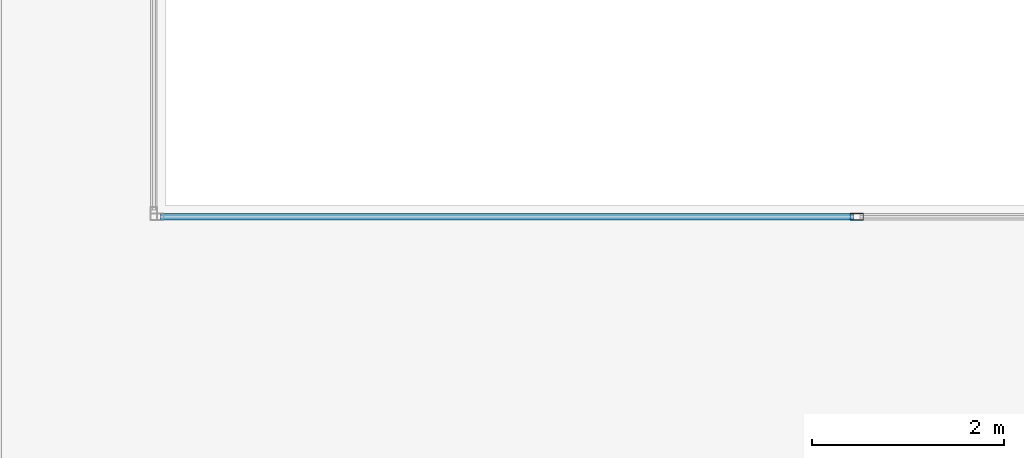
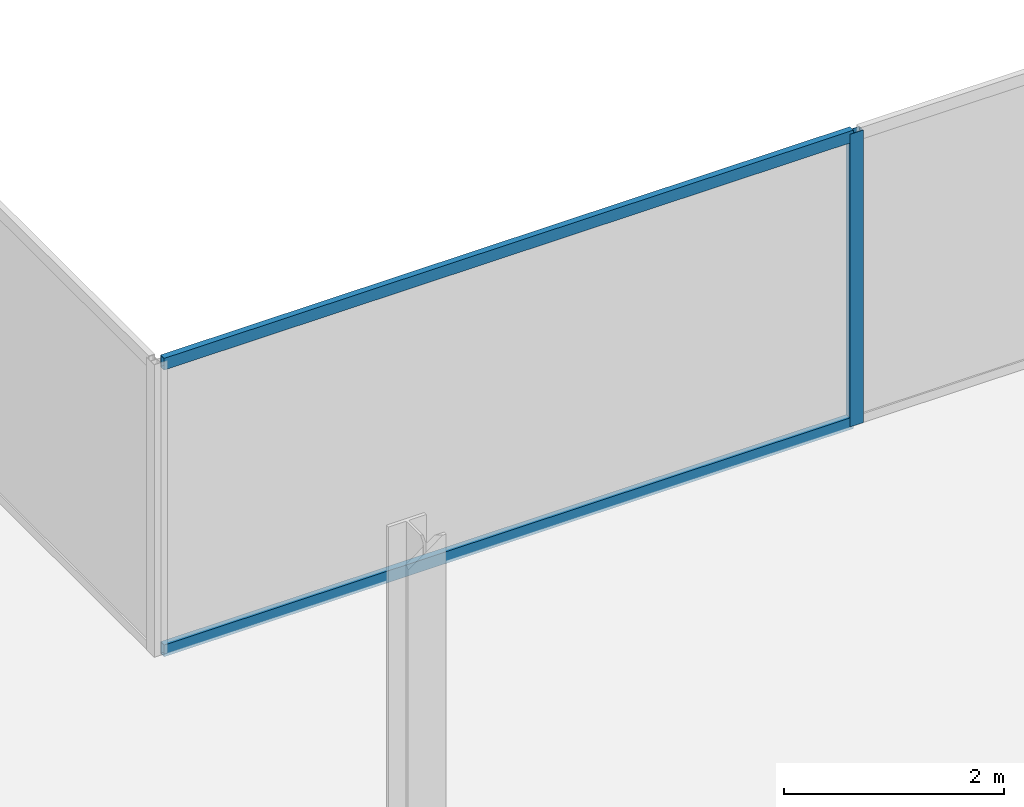
# One storey, part 9 of 23: 3 members, 1 element without a shape of its own.
"""IFC4 building model written with IfcOpenShell, lengths in metres."""

from ifc_helpers import new_model, si_unit, direction, frame, origin, origin_2d, place, context, subcontext, project, spatial, hollow_rectangle, extrude, material, material_profile, profile_set, type_object, element, aggregate, save


model = new_model("IFC4")

# Units and contexts
model_context = context("Model", 3, precision=1e-05, world=origin(), true_north=direction((0.0, 1.0)))
body_context = subcontext(model_context, "Body", "Model", "MODEL_VIEW")
ifc_project = project(units=[si_unit("LENGTHUNIT", "METRE"), si_unit("AREAUNIT", "SQUARE_METRE"), si_unit("VOLUMEUNIT", "CUBIC_METRE"), si_unit("PLANEANGLEUNIT", "RADIAN"), si_unit("MASSUNIT", "GRAM", prefix="KILO")], contexts=[model_context])

# Site, building, storey
site_placement = place(None, origin())
site = spatial("IfcSite", under=ifc_project, at=site_placement, CompositionType="ELEMENT")
building_placement = place(site_placement, origin())
building = spatial("IfcBuilding", under=site, at=building_placement, Name="Cobrela Telecom Tower", CompositionType="ELEMENT")
storey_placement = place(building_placement, frame((0.0, 0.0, 276.14990234375)))
storey = spatial("IfcBuildingStorey", under=building, at=storey_placement, Name="L72", CompositionType="ELEMENT", Elevation=276.14990234375)

# Curtain wall, members
ifc_material = material(Name="Anodized Bronze Aluminium 6063-T6", Category="aluminium")
curtain_wall_type = type_object("IfcCurtainWallType", Name="CW-SYS-OFF-HI", PredefinedType="USERDEFINED", material=ifc_material)
curtain_wall_placement = place(storey_placement, origin())
curtain_wall = element("IfcCurtainWall", 1, at=curtain_wall_placement, inside=storey, type_object=curtain_wall_type, Name="L72 Unitised Bronze Curtain Wall 09", ObjectType="UNITISED CURTAIN WALL", PredefinedType="USERDEFINED")
ifc_material_profile_1 = material_profile(ifc_material, hollow_rectangle(XDim=0.070068359375, YDim=0.139892578125, WallThickness=0.00390625, at=origin_2d()), Name="ALU 70x140x4")
ifc_profile_set_1 = profile_set([ifc_material_profile_1], Name="Anodized Bronze Aluminium 6063-T6")
member_type_1 = type_object("IfcMemberType", Name="CW-SYS-OFF-HI-MUL", PredefinedType="MULLION", material=ifc_profile_set_1)
member_1_placement = place(storey_placement, frame((28.203369140625, 25.080078125, 0.0), z_axis=(0.0, 0.0, 1.0), x_axis=(0.0, 1.0, 0.0)))
member_1 = element("IfcMember", 2, at=member_1_placement, type_object=member_type_1, Name="CW-OFF-HI mullion 2", PredefinedType="MULLION", context=body_context, shape_type="SweptSolid", body=[
    extrude(hollow_rectangle(XDim=0.070068359375, YDim=0.139892578125, WallThickness=0.00390625, at=origin_2d()), origin(), (0.0, 0.0, 1.0), 3.239990234375),
])
ifc_material_profile_2 = material_profile(ifc_material, hollow_rectangle(XDim=0.06494140625, YDim=0.1298828125, WallThickness=0.00390625, at=origin_2d()), Name="ALU 65x130x4")
ifc_profile_set_2 = profile_set([ifc_material_profile_2], Name="Anodized Bronze Aluminium 6063-T6")
member_type_2 = type_object("IfcMemberType", Name="CW-SYS-OFF-HI-TRN", PredefinedType="USERDEFINED", material=ifc_profile_set_2)
member_2_placement = place(storey_placement, frame((20.949951171875, 25.080078125, 0.03271484375), z_axis=(1.0, 0.0, 0.0), x_axis=(0.0, 1.0, 0.0)))
member_2 = element("IfcMember", 3, at=member_2_placement, type_object=member_type_2, Name="CW-OFF-HI transom 1.1", ObjectType="TRANSOM", PredefinedType="USERDEFINED", context=body_context, shape_type="SweptSolid", body=[
    extrude(hollow_rectangle(XDim=0.06494140625, YDim=0.1298828125, WallThickness=0.00390625, at=origin_2d()), origin(), (0.0, 0.0, 1.0), 7.21826171875),
])
member_3_placement = place(storey_placement, frame((20.949951171875, 25.080078125, 3.20751953125), z_axis=(1.0, 0.0, 0.0), x_axis=(0.0, 1.0, 0.0)))
member_3 = element("IfcMember", 4, at=member_3_placement, type_object=member_type_2, Name="CW-OFF-HI transom 1.2", ObjectType="TRANSOM", PredefinedType="USERDEFINED", context=body_context, shape_type="SweptSolid", body=[
    extrude(hollow_rectangle(XDim=0.06494140625, YDim=0.1298828125, WallThickness=0.00390625, at=origin_2d()), origin(), (0.0, 0.0, 1.0), 7.21826171875),
])
aggregate(curtain_wall, [member_1, member_2, member_3])

save(model, "model.ifc")
